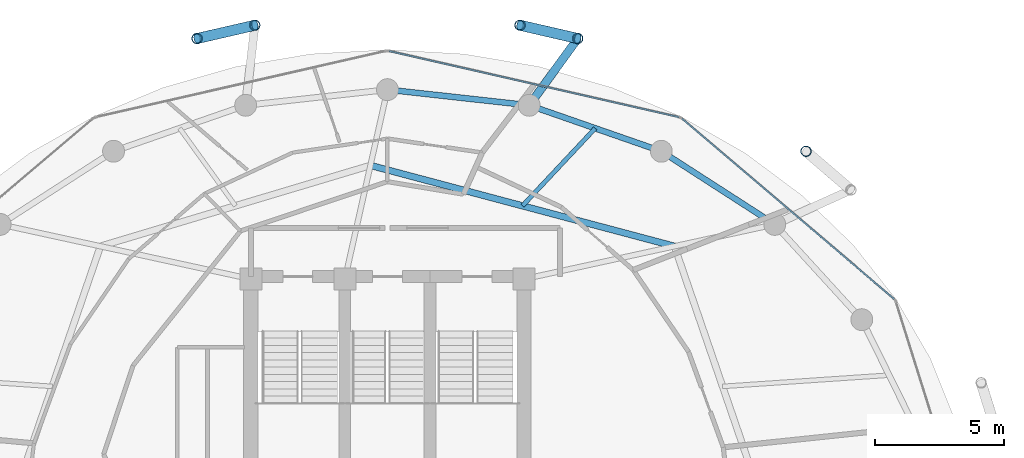
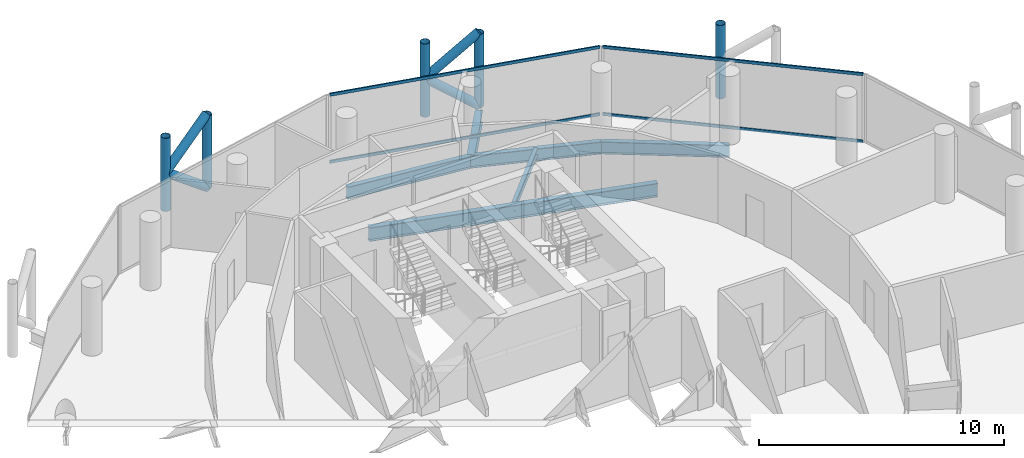
# One storey, part 20 of 27: 13 members, 6 beams, 2 elements without a shape of their own.
"""IFC4 building model written with IfcOpenShell, lengths in metres."""

from ifc_helpers import new_model, si_unit, direction, frame, origin, origin_2d, place, context, subcontext, project, spatial, hollow_rectangle, hollow_circle, i_section, extrude, material, layer, layer_set, material_profile, profile_set, type_object, element, aggregate, save


model = new_model("IFC4")

# Units and contexts
model_context = context("Model", 3, precision=1e-05, world=origin(), true_north=direction((0.0, 1.0)))
body_context = subcontext(model_context, "Body", "Model", "MODEL_VIEW")
ifc_project = project(units=[si_unit("LENGTHUNIT", "METRE"), si_unit("AREAUNIT", "SQUARE_METRE"), si_unit("VOLUMEUNIT", "CUBIC_METRE"), si_unit("PLANEANGLEUNIT", "RADIAN"), si_unit("MASSUNIT", "GRAM", prefix="KILO")], contexts=[model_context])

# Site, building, storey
site_placement = place(None, origin())
site = spatial("IfcSite", under=ifc_project, at=site_placement, CompositionType="ELEMENT")
building_placement = place(site_placement, origin())
building = spatial("IfcBuilding", under=site, at=building_placement, Name="Nuhasar Tower", CompositionType="ELEMENT")
storey_placement = place(building_placement, frame((0.0, 0.0, 244.64990234375)))
storey = spatial("IfcBuildingStorey", under=building, at=storey_placement, Name="L60", CompositionType="ELEMENT", Elevation=244.64990234375)

# Beams
ifc_material_1 = material(Name="Steel S355", Category="steel")
ifc_material_profile_1 = material_profile(ifc_material_1, i_section(OverallWidth=0.25390625, OverallDepth=0.68408203125, WebThickness=0.012451171875, FlangeThickness=0.018798828125, at=origin_2d()), Name="W27X94")
ifc_profile_set_1 = profile_set([ifc_material_profile_1], Name="Steel S355")
beam_type_1 = type_object("IfcBeamType", Name="BM-INRING-W27X94", PredefinedType="BEAM", material=ifc_profile_set_1)
beam_1_placement = place(storey_placement, frame((50.135986328125, 38.572998046875, -0.581787109375), z_axis=(-0.966410333243, 0.257004022929, 0.0), x_axis=(-0.257004022929, -0.966410333243, 0.0)))
element("IfcBeam", 1, at=beam_1_placement, inside=storey, type_object=beam_type_1, Name="L60 Inner Header Beam 05", PredefinedType="BEAM", context=body_context, shape_type="SweptSolid", body=[
    extrude(i_section(OverallWidth=0.25390625, OverallDepth=0.68408203125, WebThickness=0.012451171875, FlangeThickness=0.018798828125, at=origin_2d()), origin(), (0.0, 0.0, 1.0), 12.205810546875),
])
ifc_material_profile_2 = material_profile(ifc_material_1, i_section(OverallWidth=0.1708984375, OverallDepth=0.35205078125, WebThickness=0.0068359375, FlangeThickness=0.009765625, at=origin_2d()), Name="W14X30")
ifc_profile_set_2 = profile_set([ifc_material_profile_2], Name="Steel S355")
beam_type_2 = type_object("IfcBeamType", Name="BM-JST-W14X30", PredefinedType="JOIST", material=ifc_profile_set_2)
beam_2_placement = place(storey_placement, frame((44.238037109375, 40.14208984375, -0.416015625), z_axis=(0.684358245116, 0.729145933501, 0.0), x_axis=(-0.729145933501, 0.684358245116, 0.0)))
element("IfcBeam", 2, at=beam_2_placement, inside=storey, type_object=beam_type_2, Name="L60 Secondary Floor Joist 05", PredefinedType="JOIST", context=body_context, shape_type="SweptSolid", body=[
    extrude(i_section(OverallWidth=0.1708984375, OverallDepth=0.35205078125, WebThickness=0.0068359375, FlangeThickness=0.009765625, at=origin_2d()), origin(), (0.0, 0.0, 1.0), 4.12646484375),
])
ifc_material_profile_3 = material_profile(ifc_material_1, i_section(OverallWidth=0.22802734375, OverallDepth=0.60791015625, WebThickness=0.01123046875, FlangeThickness=0.017333984375, at=origin_2d()), Name="W24X76")
ifc_profile_set_3 = profile_set([ifc_material_profile_3], Name="Steel S355")
beam_type_3 = type_object("IfcBeamType", Name="BM-RING-W24X76", PredefinedType="SPANDREL", material=ifc_profile_set_3)
beam_3_placement = place(storey_placement, frame((54.02587890625, 39.422119140625, -0.5439453125), z_axis=(-0.840502144969, 0.541808217272, 0.0), x_axis=(-0.541808217272, -0.840502144969, 0.0)))
element("IfcBeam", 3, at=beam_3_placement, inside=storey, type_object=beam_type_3, Name="L60 Perimeter Ring Spandrel 04", PredefinedType="SPANDREL", context=body_context, shape_type="SweptSolid", body=[
    extrude(i_section(OverallWidth=0.22802734375, OverallDepth=0.60791015625, WebThickness=0.01123046875, FlangeThickness=0.017333984375, at=origin_2d()), origin(), (0.0, 0.0, 1.0), 5.236083984375),
])
beam_4_placement = place(storey_placement, frame((49.625, 42.259033203125, -0.5439453125), z_axis=(-0.944476764686, 0.328578211342, 0.0), x_axis=(-0.328578211342, -0.944476764686, 0.0)))
element("IfcBeam", 4, at=beam_4_placement, inside=storey, type_object=beam_type_3, Name="L60 Perimeter Ring Spandrel 05", PredefinedType="SPANDREL", context=body_context, shape_type="SweptSolid", body=[
    extrude(i_section(OverallWidth=0.22802734375, OverallDepth=0.60791015625, WebThickness=0.01123046875, FlangeThickness=0.017333984375, at=origin_2d()), origin(), (0.0, 0.0, 1.0), 5.42626953125),
])
beam_5_placement = place(storey_placement, frame((44.5, 44.0419921875, -0.5439453125), z_axis=(-0.993947060915, 0.109860093292, 0.0), x_axis=(-0.109860093292, -0.993947060915, 0.0)))
element("IfcBeam", 5, at=beam_5_placement, inside=storey, type_object=beam_type_3, Name="L60 Perimeter Ring Spandrel 06", PredefinedType="SPANDREL", context=body_context, shape_type="SweptSolid", body=[
    extrude(i_section(OverallWidth=0.22802734375, OverallDepth=0.60791015625, WebThickness=0.01123046875, FlangeThickness=0.017333984375, at=origin_2d()), origin(), (0.0, 0.0, 1.0), 5.533447265625),
])
ifc_material_profile_4 = material_profile(ifc_material_1, i_section(OverallWidth=0.323974609375, OverallDepth=0.611083984375, WebThickness=0.0126953125, FlangeThickness=0.01904296875, at=origin_2d()), Name="W24X104")
ifc_profile_set_4 = profile_set([ifc_material_profile_4], Name="Steel S355")
beam_type_4 = type_object("IfcBeamType", Name="BM-TIE-W24X104", PredefinedType="BEAM", material=ifc_profile_set_4)
beam_6_placement = place(storey_placement, frame((44.5, 44.0419921875, -0.544921875), z_axis=(0.588094663461, 0.808792103577, 0.0), x_axis=(-0.808792103577, 0.588094663461, 0.0)))
element("IfcBeam", 6, at=beam_6_placement, inside=storey, type_object=beam_type_4, Name="L60 Exoskeleton Node Tie Beam 03", PredefinedType="BEAM", context=body_context, shape_type="SweptSolid", body=[
    extrude(i_section(OverallWidth=0.323974609375, OverallDepth=0.611083984375, WebThickness=0.0126953125, FlangeThickness=0.01904296875, at=origin_2d()), origin(), (0.0, 0.0, 1.0), 3.20361328125),
])

# Curtain wall, members
ifc_material_2 = material(Name="Aluminium 6063-T6", Category="aluminium")
ifc_layer = layer(ifc_material_2, 0.18994140625)
ifc_layer_set = layer_set([ifc_layer], Name="Aluminium 6063-T6")
curtain_wall_type = type_object("IfcCurtainWallType", Name="CW-Z3-RES", PredefinedType="NOTDEFINED", material=ifc_layer_set)
curtain_wall_1_placement = place(storey_placement, origin())
curtain_wall_1 = element("IfcCurtainWall", 7, at=curtain_wall_1_placement, inside=storey, type_object=curtain_wall_type, Name="L60 Unitised Curtain Wall 02", PredefinedType="NOTDEFINED")
ifc_material_profile_5 = material_profile(ifc_material_2, hollow_rectangle(XDim=0.06494140625, YDim=0.139892578125, WallThickness=0.00439453125, at=origin_2d()), Name="CWT-4")
ifc_profile_set_5 = profile_set([ifc_material_profile_5], Name="Aluminium 6063-T6")
member_type_1 = type_object("IfcMemberType", Name="CW-TRN-S4", PredefinedType="USERDEFINED", material=ifc_profile_set_5)
member_1_placement = place(storey_placement, frame((58.661376953125, 36.522216796875, 0.03271484375), z_axis=(-0.761730809511, 0.647893643928, 0.0), x_axis=(-0.647893643928, -0.761730809511, 0.0)))
member_1 = element("IfcMember", 8, at=member_1_placement, type_object=member_type_1, Name="CW-Z3 transom 1.1", ObjectType="TRANSOM", PredefinedType="USERDEFINED", context=body_context, shape_type="SweptSolid", body=[
    extrude(hollow_rectangle(XDim=0.06494140625, YDim=0.139892578125, WallThickness=0.00439453125, at=origin_2d()), origin(), (0.0, 0.0, 1.0), 10.806884765625),
])
member_2_placement = place(storey_placement, frame((58.661376953125, 36.522216796875, 3.377685546875), z_axis=(-0.761730809511, 0.647893643928, 0.0), x_axis=(-0.647893643928, -0.761730809511, 0.0)))
member_2 = element("IfcMember", 9, at=member_2_placement, type_object=member_type_1, Name="CW-Z3 transom 1.2", ObjectType="TRANSOM", PredefinedType="USERDEFINED", context=body_context, shape_type="SweptSolid", body=[
    extrude(hollow_rectangle(XDim=0.06494140625, YDim=0.139892578125, WallThickness=0.00439453125, at=origin_2d()), origin(), (0.0, 0.0, 1.0), 10.806884765625),
])
aggregate(curtain_wall_1, [member_1, member_2])

curtain_wall_2_placement = place(storey_placement, origin())
curtain_wall_2 = element("IfcCurtainWall", 10, at=curtain_wall_2_placement, inside=storey, type_object=curtain_wall_type, Name="L60 Unitised Curtain Wall 03", PredefinedType="NOTDEFINED")
member_3_placement = place(storey_placement, frame((50.316650390625, 43.58056640625, 0.03271484375), z_axis=(-0.974994070913, 0.222230874732, 0.0), x_axis=(-0.222230874732, -0.974994070913, 0.0)))
member_3 = element("IfcMember", 11, at=member_3_placement, type_object=member_type_1, Name="CW-Z3 transom 1.1", ObjectType="TRANSOM", PredefinedType="USERDEFINED", context=body_context, shape_type="SweptSolid", body=[
    extrude(hollow_rectangle(XDim=0.06494140625, YDim=0.139892578125, WallThickness=0.00439453125, at=origin_2d()), origin(), (0.0, 0.0, 1.0), 11.541748046875),
])
member_4_placement = place(storey_placement, frame((50.316650390625, 43.58056640625, 3.377685546875), z_axis=(-0.974994070913, 0.222230874732, 0.0), x_axis=(-0.222230874732, -0.974994070913, 0.0)))
member_4 = element("IfcMember", 12, at=member_4_placement, type_object=member_type_1, Name="CW-Z3 transom 1.2", ObjectType="TRANSOM", PredefinedType="USERDEFINED", context=body_context, shape_type="SweptSolid", body=[
    extrude(hollow_rectangle(XDim=0.06494140625, YDim=0.139892578125, WallThickness=0.00439453125, at=origin_2d()), origin(), (0.0, 0.0, 1.0), 11.541748046875),
])
aggregate(curtain_wall_2, [member_3, member_4])

# Members
ifc_material_3 = material(Name="Steel S460", Category="steel")
ifc_material_profile_6 = material_profile(ifc_material_3, hollow_circle(Radius=0.203125, WallThickness=0.01904296875, at=origin_2d()), Name="HSS406.4X19.1")
ifc_profile_set_6 = profile_set([ifc_material_profile_6], Name="Steel S460")
member_type_2 = type_object("IfcMemberType", Name="EXO-BRONZE-406", PredefinedType="BRACE", material=ifc_profile_set_6)
for number, where, z_axis, x_axis, name in (
    (13, (55.239990234375, 42.257080078125, 0.0), (0.0, 0.0, 1.0), (1.0, 0.0, 0.0), "L60 Exoskeleton Chord Column EC-02B"),
    (14, (46.384033203125, 46.633056640625, 0.0), (0.0, 0.0, 1.0), (1.0, 0.0, 0.0), "L60 Exoskeleton Chord Column EC-03A"),
    (15, (44.14306640625, 47.14892578125, 0.0), (0.0, 0.0, 1.0), (1.0, 0.0, 0.0), "L60 Exoskeleton Chord Column EC-03B"),
    (16, (33.85693359375, 47.14892578125, 0.0), (0.0, 0.0, 1.0), (1.0, 0.0, 0.0), "L60 Exoskeleton Chord Column EC-04A"),
    (17, (31.615966796875, 46.633056640625, 0.0), (0.0, 0.0, 1.0), (1.0, 0.0, 0.0), "L60 Exoskeleton Chord Column EC-04B"),
):
    element("IfcMember", number, at=place(storey_placement, frame(where, z_axis=z_axis, x_axis=x_axis)), inside=storey, type_object=member_type_2, Name=name, PredefinedType="BRACE", context=body_context, shape_type="SweptSolid", body=[
        extrude(hollow_circle(Radius=0.203125, WallThickness=0.01904296875, at=origin_2d()), origin(), (0.0, 0.0, 1.0), 3.650146484375),
    ])
for number, where, z_axis, x_axis, name in (
    (18, (46.384033203125, 46.633056640625, 0.0), (-0.763303280332, 0.175711932819, 0.621685948771), (-0.224332214284, -0.974512728308, 0.0), "L60 Bronze Diagrid Brace W1-03"),
    (19, (44.14306640625, 47.14892578125, 1.8251953125), (0.763342741922, -0.175721016852, 0.621634927101), (0.224332214284, 0.974512728308, 0.0), "L60 Bronze Diagrid Brace W2-03"),
    (20, (33.85693359375, 47.14892578125, 0.0), (-0.763303280332, -0.175711932819, 0.621685948771), (0.224332214284, -0.974512728308, 0.0), "L60 Bronze Diagrid Brace W1-04"),
    (21, (31.615966796875, 46.633056640625, 1.8251953125), (0.763342741922, 0.175721016852, 0.621634927101), (-0.224332214284, 0.974512728308, 0.0), "L60 Bronze Diagrid Brace W2-04"),
):
    element("IfcMember", number, at=place(storey_placement, frame(where, z_axis=z_axis, x_axis=x_axis)), inside=storey, type_object=member_type_2, Name=name, PredefinedType="BRACE", context=body_context, shape_type="SweptSolid", body=[
        extrude(hollow_circle(Radius=0.203125, WallThickness=0.01904296875, at=origin_2d()), origin(), (0.0, 0.0, 1.0), 2.935791015625),
    ])

save(model, "model.ifc")
